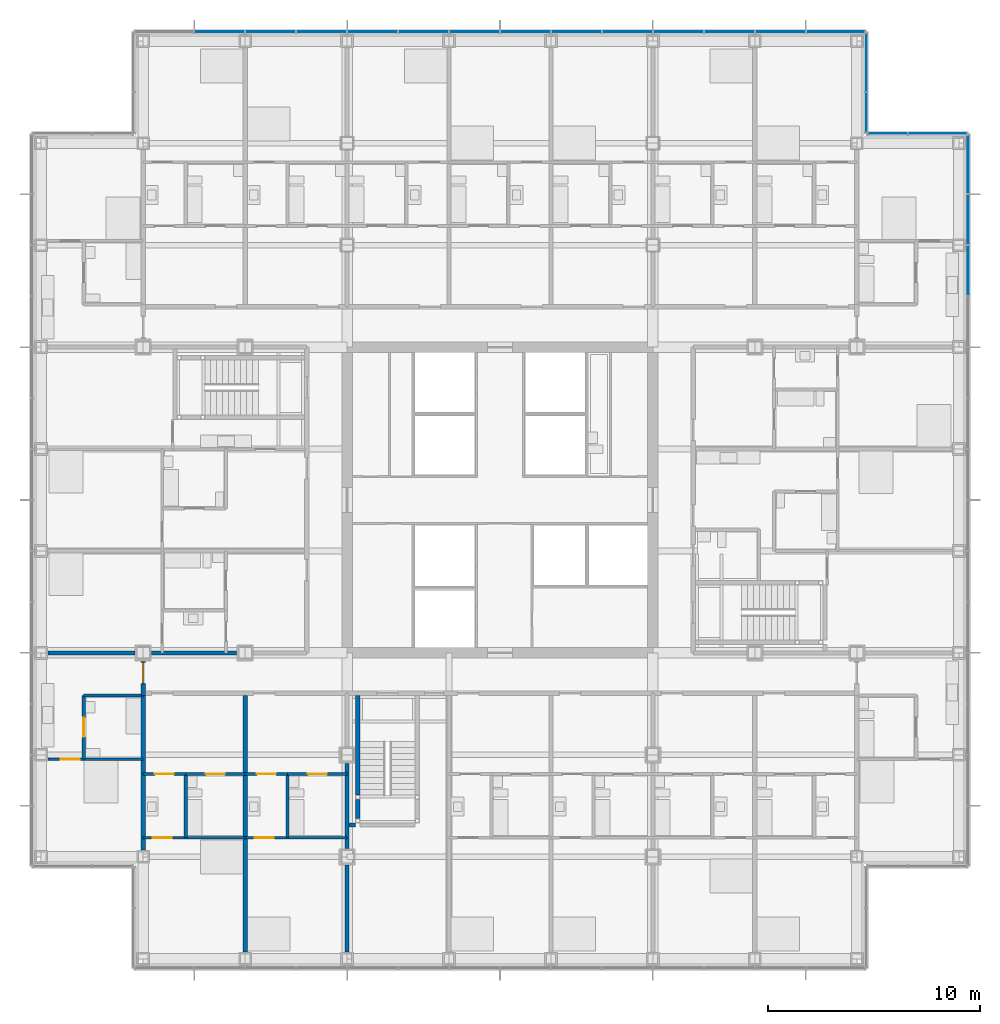
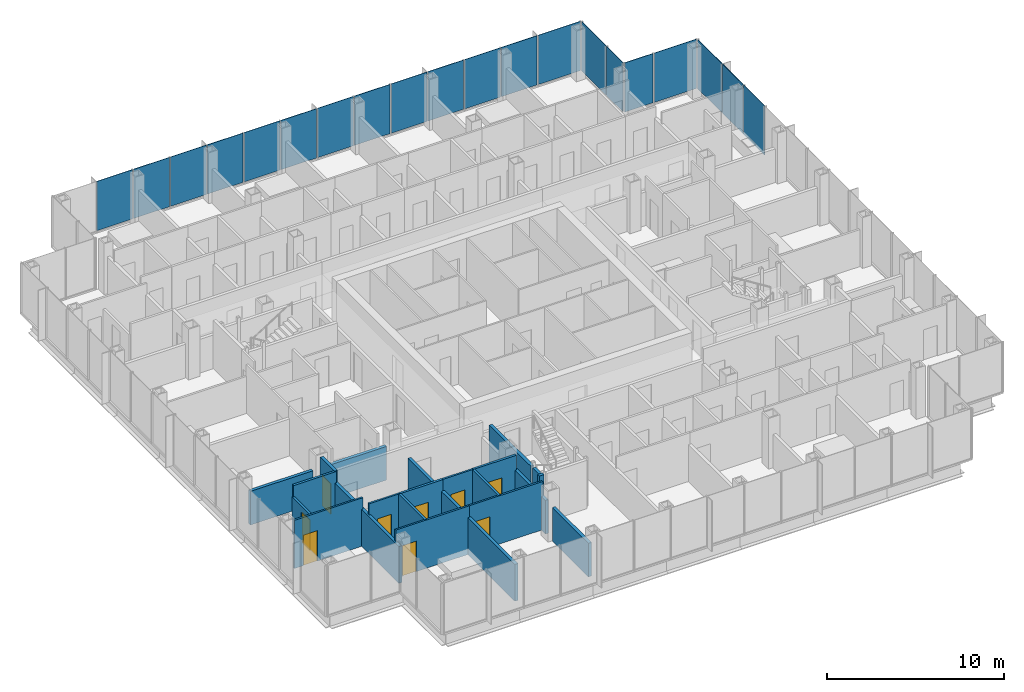
# One storey, part 13 of 22: 21 walls, 20 plates, 9 doors, 9 openings, 4 elements without a shape of their own.
"""IFC4 building model written with IfcOpenShell, lengths in metres."""

from ifc_helpers import new_model, si_unit, direction, frame, frame_2d, origin, origin_2d, place, context, subcontext, project, spatial, rectangle, extrude, material, layer, layer_set, type_object, element, fill, aggregate, save


model = new_model("IFC4")

# Units and contexts
model_context = context("Model", 3, precision=1e-05, world=origin(), true_north=direction((0.0, 1.0)))
body_context = subcontext(model_context, "Body", "Model", "MODEL_VIEW")
ifc_project = project(units=[si_unit("LENGTHUNIT", "METRE"), si_unit("AREAUNIT", "SQUARE_METRE"), si_unit("VOLUMEUNIT", "CUBIC_METRE"), si_unit("PLANEANGLEUNIT", "RADIAN"), si_unit("MASSUNIT", "GRAM", prefix="KILO")], contexts=[model_context])

# Site, building, storey
site_placement = place(None, origin())
site = spatial("IfcSite", under=ifc_project, at=site_placement, CompositionType="ELEMENT")
building_placement = place(site_placement, origin())
building = spatial("IfcBuilding", under=site, at=building_placement, Name="Kvirike Care Tower", CompositionType="ELEMENT")
storey_placement = place(building_placement, frame((0.0, 0.0, 69.0)))
storey = spatial("IfcBuildingStorey", under=building, at=storey_placement, Name="L18", CompositionType="ELEMENT", Elevation=69.0)

# Curtain wall, plates
ifc_material_1 = material(Name="Anodised aluminium stick system", Category="aluminium")
curtain_wall_type = type_object("IfcCurtainWallType", Name="CW-A STICK CURTAIN WALL", PredefinedType="NOTDEFINED", material=ifc_material_1)
curtain_wall_1_placement = place(storey_placement, origin())
curtain_wall_1 = element("IfcCurtainWall", 1, at=curtain_wall_1_placement, inside=storey, type_object=curtain_wall_type, Name="Curtain wall L18 face 7", PredefinedType="NOTDEFINED")
ifc_material_2 = material(Name="Tinted double glazed unit", Category="glass")
ifc_layer_1 = layer(ifc_material_2, 0.031982421875)
ifc_layer_set_1 = layer_set([ifc_layer_1], Name="TINTED VISION PANEL 32")
plate_type = type_object("IfcPlateType", Name="TINTED VISION PANEL 32", PredefinedType="CURTAIN_PANEL", material=ifc_layer_set_1)
plate_1_placement = place(storey_placement, frame((43.64990234375, 46.800048828125, 0.10009765625), z_axis=(0.0, 0.0, 1.0), x_axis=(0.0, 1.0, 0.0)))
plate_1 = element("IfcPlate", 2, at=plate_1_placement, type_object=plate_type, Name="CW-A panel L18 face 7.12", PredefinedType="CURTAIN_PANEL", context=body_context, shape_type="SweptSolid", body=[
    extrude(rectangle(XDim=2.3349609375, YDim=0.031982421875, at=origin_2d()), origin(), (0.0, 0.0, 1.0), 3.39990234375),
])
plate_2_placement = place(storey_placement, frame((43.64990234375, 49.199951171875, 0.10009765625), z_axis=(0.0, 0.0, 1.0), x_axis=(0.0, 1.0, 0.0)))
plate_2 = element("IfcPlate", 3, at=plate_2_placement, type_object=plate_type, Name="CW-A panel L18 face 7.13", PredefinedType="CURTAIN_PANEL", context=body_context, shape_type="SweptSolid", body=[
    extrude(rectangle(XDim=2.3349609375, YDim=0.031982421875, at=origin_2d()), origin(), (0.0, 0.0, 1.0), 3.39990234375),
])
plate_3_placement = place(storey_placement, frame((43.64990234375, 51.808837890625, 0.10009765625), z_axis=(0.0, 0.0, 1.0), x_axis=(0.0, 1.0, 0.0)))
plate_3 = element("IfcPlate", 4, at=plate_3_placement, type_object=plate_type, Name="CW-A panel L18 face 7.14", PredefinedType="CURTAIN_PANEL", context=body_context, shape_type="SweptSolid", body=[
    extrude(rectangle(XDim=2.75244140625, YDim=0.031982421875, at=origin_2d()), origin(), (0.0, 0.0, 1.0), 3.39990234375),
])
aggregate(curtain_wall_1, [plate_1, plate_2, plate_3])

curtain_wall_2_placement = place(storey_placement, origin())
curtain_wall_2 = element("IfcCurtainWall", 5, at=curtain_wall_2_placement, inside=storey, type_object=curtain_wall_type, Name="Curtain wall L18 face 8", PredefinedType="NOTDEFINED")
plate_4_placement = place(storey_placement, frame((42.208740234375, 53.25, 0.10009765625), z_axis=(0.0, 0.0, 1.0), x_axis=(-1.0, 0.0, 0.0)))
plate_4 = element("IfcPlate", 6, at=plate_4_placement, type_object=plate_type, Name="CW-A panel L18 face 8.1", PredefinedType="CURTAIN_PANEL", context=body_context, shape_type="SweptSolid", body=[
    extrude(rectangle(XDim=2.75244140625, YDim=0.031982421875, at=origin_2d()), origin(), (0.0, 0.0, 1.0), 3.39990234375),
])
plate_5_placement = place(storey_placement, frame((39.84130859375, 53.25, 0.10009765625), z_axis=(0.0, 0.0, 1.0), x_axis=(-1.0, 0.0, 0.0)))
plate_5 = element("IfcPlate", 7, at=plate_5_placement, type_object=plate_type, Name="CW-A panel L18 face 8.2", PredefinedType="CURTAIN_PANEL", context=body_context, shape_type="SweptSolid", body=[
    extrude(rectangle(XDim=1.8525390625, YDim=0.031982421875, at=origin_2d()), origin(), (0.0, 0.0, 1.0), 3.39990234375),
])
aggregate(curtain_wall_2, [plate_4, plate_5])

curtain_wall_3_placement = place(storey_placement, origin())
curtain_wall_3 = element("IfcCurtainWall", 8, at=curtain_wall_3_placement, inside=storey, type_object=curtain_wall_type, Name="Curtain wall L18 face 9", PredefinedType="NOTDEFINED")
plate_6_placement = place(storey_placement, frame((38.85009765625, 54.2412109375, 0.10009765625), z_axis=(0.0, 0.0, 1.0), x_axis=(0.0, 1.0, 0.0)))
plate_6 = element("IfcPlate", 9, at=plate_6_placement, type_object=plate_type, Name="CW-A panel L18 face 9.1", PredefinedType="CURTAIN_PANEL", context=body_context, shape_type="SweptSolid", body=[
    extrude(rectangle(XDim=1.8525390625, YDim=0.031982421875, at=origin_2d()), origin(), (0.0, 0.0, 1.0), 3.39990234375),
])
plate_7_placement = place(storey_placement, frame((38.85009765625, 56.608642578125, 0.10009765625), z_axis=(0.0, 0.0, 1.0), x_axis=(0.0, 1.0, 0.0)))
plate_7 = element("IfcPlate", 10, at=plate_7_placement, type_object=plate_type, Name="CW-A panel L18 face 9.2", PredefinedType="CURTAIN_PANEL", context=body_context, shape_type="SweptSolid", body=[
    extrude(rectangle(XDim=2.75244140625, YDim=0.031982421875, at=origin_2d()), origin(), (0.0, 0.0, 1.0), 3.39990234375),
])
aggregate(curtain_wall_3, [plate_6, plate_7])

curtain_wall_4_placement = place(storey_placement, origin())
curtain_wall_4 = element("IfcCurtainWall", 11, at=curtain_wall_4_placement, inside=storey, type_object=curtain_wall_type, Name="Curtain wall L18 face 10", PredefinedType="NOTDEFINED")
plate_8_placement = place(storey_placement, frame((37.40869140625, 58.050048828125, 0.10009765625), z_axis=(0.0, 0.0, 1.0), x_axis=(-1.0, 0.0, 0.0)))
plate_8 = element("IfcPlate", 12, at=plate_8_placement, type_object=plate_type, Name="CW-A panel L18 face 10.1", PredefinedType="CURTAIN_PANEL", context=body_context, shape_type="SweptSolid", body=[
    extrude(rectangle(XDim=2.75244140625, YDim=0.031982421875, at=origin_2d()), origin(), (0.0, 0.0, 1.0), 3.39990234375),
])
plate_9_placement = place(storey_placement, frame((34.800048828125, 58.050048828125, 0.10009765625), z_axis=(0.0, 0.0, 1.0), x_axis=(-1.0, 0.0, 0.0)))
plate_9 = element("IfcPlate", 13, at=plate_9_placement, type_object=plate_type, Name="CW-A panel L18 face 10.2", PredefinedType="CURTAIN_PANEL", context=body_context, shape_type="SweptSolid", body=[
    extrude(rectangle(XDim=2.3349609375, YDim=0.031982421875, at=origin_2d()), origin(), (0.0, 0.0, 1.0), 3.39990234375),
])
plate_10_placement = place(storey_placement, frame((32.39990234375, 58.050048828125, 0.10009765625), z_axis=(0.0, 0.0, 1.0), x_axis=(-1.0, 0.0, 0.0)))
plate_10 = element("IfcPlate", 14, at=plate_10_placement, type_object=plate_type, Name="CW-A panel L18 face 10.3", PredefinedType="CURTAIN_PANEL", context=body_context, shape_type="SweptSolid", body=[
    extrude(rectangle(XDim=2.3349609375, YDim=0.031982421875, at=origin_2d()), origin(), (0.0, 0.0, 1.0), 3.39990234375),
])
plate_11_placement = place(storey_placement, frame((30.0, 58.050048828125, 0.10009765625), z_axis=(0.0, 0.0, 1.0), x_axis=(-1.0, 0.0, 0.0)))
plate_11 = element("IfcPlate", 15, at=plate_11_placement, type_object=plate_type, Name="CW-A panel L18 face 10.4", PredefinedType="CURTAIN_PANEL", context=body_context, shape_type="SweptSolid", body=[
    extrude(rectangle(XDim=2.3349609375, YDim=0.031982421875, at=origin_2d()), origin(), (0.0, 0.0, 1.0), 3.39990234375),
])
plate_12_placement = place(storey_placement, frame((27.60009765625, 58.050048828125, 0.10009765625), z_axis=(0.0, 0.0, 1.0), x_axis=(-1.0, 0.0, 0.0)))
plate_12 = element("IfcPlate", 16, at=plate_12_placement, type_object=plate_type, Name="CW-A panel L18 face 10.5", PredefinedType="CURTAIN_PANEL", context=body_context, shape_type="SweptSolid", body=[
    extrude(rectangle(XDim=2.3349609375, YDim=0.031982421875, at=origin_2d()), origin(), (0.0, 0.0, 1.0), 3.39990234375),
])
plate_13_placement = place(storey_placement, frame((25.199951171875, 58.050048828125, 0.10009765625), z_axis=(0.0, 0.0, 1.0), x_axis=(-1.0, 0.0, 0.0)))
plate_13 = element("IfcPlate", 17, at=plate_13_placement, type_object=plate_type, Name="CW-A panel L18 face 10.6", PredefinedType="CURTAIN_PANEL", context=body_context, shape_type="SweptSolid", body=[
    extrude(rectangle(XDim=2.3349609375, YDim=0.031982421875, at=origin_2d()), origin(), (0.0, 0.0, 1.0), 3.39990234375),
])
plate_14_placement = place(storey_placement, frame((22.800048828125, 58.050048828125, 0.10009765625), z_axis=(0.0, 0.0, 1.0), x_axis=(-1.0, 0.0, 0.0)))
plate_14 = element("IfcPlate", 18, at=plate_14_placement, type_object=plate_type, Name="CW-A panel L18 face 10.7", PredefinedType="CURTAIN_PANEL", context=body_context, shape_type="SweptSolid", body=[
    extrude(rectangle(XDim=2.3349609375, YDim=0.031982421875, at=origin_2d()), origin(), (0.0, 0.0, 1.0), 3.39990234375),
])
plate_15_placement = place(storey_placement, frame((20.39990234375, 58.050048828125, 0.10009765625), z_axis=(0.0, 0.0, 1.0), x_axis=(-1.0, 0.0, 0.0)))
plate_15 = element("IfcPlate", 19, at=plate_15_placement, type_object=plate_type, Name="CW-A panel L18 face 10.8", PredefinedType="CURTAIN_PANEL", context=body_context, shape_type="SweptSolid", body=[
    extrude(rectangle(XDim=2.3349609375, YDim=0.031982421875, at=origin_2d()), origin(), (0.0, 0.0, 1.0), 3.39990234375),
])
plate_16_placement = place(storey_placement, frame((18.0, 58.050048828125, 0.10009765625), z_axis=(0.0, 0.0, 1.0), x_axis=(-1.0, 0.0, 0.0)))
plate_16 = element("IfcPlate", 20, at=plate_16_placement, type_object=plate_type, Name="CW-A panel L18 face 10.9", PredefinedType="CURTAIN_PANEL", context=body_context, shape_type="SweptSolid", body=[
    extrude(rectangle(XDim=2.3349609375, YDim=0.031982421875, at=origin_2d()), origin(), (0.0, 0.0, 1.0), 3.39990234375),
])
plate_17_placement = place(storey_placement, frame((15.60009765625, 58.050048828125, 0.10009765625), z_axis=(0.0, 0.0, 1.0), x_axis=(-1.0, 0.0, 0.0)))
plate_17 = element("IfcPlate", 21, at=plate_17_placement, type_object=plate_type, Name="CW-A panel L18 face 10.10", PredefinedType="CURTAIN_PANEL", context=body_context, shape_type="SweptSolid", body=[
    extrude(rectangle(XDim=2.3349609375, YDim=0.031982421875, at=origin_2d()), origin(), (0.0, 0.0, 1.0), 3.39990234375),
])
plate_18_placement = place(storey_placement, frame((13.199951171875, 58.050048828125, 0.10009765625), z_axis=(0.0, 0.0, 1.0), x_axis=(-1.0, 0.0, 0.0)))
plate_18 = element("IfcPlate", 22, at=plate_18_placement, type_object=plate_type, Name="CW-A panel L18 face 10.11", PredefinedType="CURTAIN_PANEL", context=body_context, shape_type="SweptSolid", body=[
    extrude(rectangle(XDim=2.3349609375, YDim=0.031982421875, at=origin_2d()), origin(), (0.0, 0.0, 1.0), 3.39990234375),
])
plate_19_placement = place(storey_placement, frame((10.800048828125, 58.050048828125, 0.10009765625), z_axis=(0.0, 0.0, 1.0), x_axis=(-1.0, 0.0, 0.0)))
plate_19 = element("IfcPlate", 23, at=plate_19_placement, type_object=plate_type, Name="CW-A panel L18 face 10.12", PredefinedType="CURTAIN_PANEL", context=body_context, shape_type="SweptSolid", body=[
    extrude(rectangle(XDim=2.3349609375, YDim=0.031982421875, at=origin_2d()), origin(), (0.0, 0.0, 1.0), 3.39990234375),
])
plate_20_placement = place(storey_placement, frame((8.39990234375, 58.050048828125, 0.10009765625), z_axis=(0.0, 0.0, 1.0), x_axis=(-1.0, 0.0, 0.0)))
plate_20 = element("IfcPlate", 24, at=plate_20_placement, type_object=plate_type, Name="CW-A panel L18 face 10.13", PredefinedType="CURTAIN_PANEL", context=body_context, shape_type="SweptSolid", body=[
    extrude(rectangle(XDim=2.3349609375, YDim=0.031982421875, at=origin_2d()), origin(), (0.0, 0.0, 1.0), 3.39990234375),
])
aggregate(curtain_wall_4, [plate_8, plate_9, plate_10, plate_11, plate_12, plate_13, plate_14, plate_15, plate_16, plate_17, plate_18, plate_19, plate_20])

# Wall, opening, door
ifc_material_3 = material(Name="Moisture-resistant board partition", Category="gypsum")
ifc_layer_2 = layer(ifc_material_3, 0.14990234375)
ifc_layer_set_2 = layer_set([ifc_layer_2], Name="BATHROOM WALL 150")
wall_type_1 = type_object("IfcWallType", Name="BATHROOM WALL 150", PredefinedType="PARTITIONING", material=ifc_layer_set_2)
wall_1_placement = place(storey_placement, frame((2.0, 23.800048828125, 0.0), z_axis=(0.0, 0.0, 1.0), x_axis=(0.0, 1.0, 0.0)))
wall_1 = element("IfcWall", 25, at=wall_1_placement, inside=storey, type_object=wall_type_1, Name="Bathroom Wall 150 L18", PredefinedType="PARTITIONING", context=body_context, shape_type="SweptSolid", body=[
    extrude(rectangle(XDim=3.0, YDim=0.14990234375, at=frame_2d((1.5, 0.0))), origin(), (0.0, 0.0, 1.0), 2.550048828125),
])
opening_1_placement = place(wall_1_placement, frame((1.050048828125, 0.0, 0.0)))
opening_1 = element("IfcOpeningElement", 26, at=opening_1_placement, cuts=wall_1, Name="Opening 18-001", PredefinedType="OPENING", context=body_context, shape_type="SweptSolid", body=[
    extrude(rectangle(XDim=0.89990234375, YDim=2.10009765625, at=frame_2d((0.449951171875, 1.050048828125))), frame((0.0, 0.08544921875, 0.0), z_axis=(0.0, -1.0, 0.0), x_axis=(1.0, 0.0, 0.0)), (0.0, 0.0, 1.0), 0.1708984375),
])
ifc_material_4 = material(Name="Timber door set", Category="wood")
door_type_1 = type_object("IfcDoorType", Name="BATHROOM DOOR 900", OperationType="SINGLE_SWING_RIGHT", PredefinedType="DOOR", material=ifc_material_4)
door_1_placement = place(opening_1_placement, frame((0.89990234375, 0.0, 0.0), z_axis=(0.0, 0.0, 1.0), x_axis=(-1.0, 0.0, 0.0)))
door_1 = element("IfcDoor", 27, at=door_1_placement, inside=storey, type_object=door_type_1, Name="Bathroom door", OperationType="SINGLE_SWING_LEFT", OverallHeight=2.10009765625, OverallWidth=0.89990234375, PredefinedType="DOOR", context=body_context, shape_type="SweptSolid", body=[
    extrude(rectangle(XDim=0.89990234375, YDim=2.10009765625, at=frame_2d((0.449951171875, 1.050048828125))), frame((0.0, 0.02197265625, 0.0), z_axis=(0.0, -1.0, 0.0), x_axis=(1.0, 0.0, 0.0)), (0.0, 0.0, 1.0), 0.0439453125),
])
fill(opening_1, door_1)

# Walls
wall_2_placement = place(storey_placement, frame((2.0, 26.800048828125, 0.0), z_axis=(0.0, 0.0, 1.0), x_axis=(1.0, 0.0, 0.0)))
element("IfcWall", 28, at=wall_2_placement, inside=storey, type_object=wall_type_1, Name="Bathroom Wall 150 L18", PredefinedType="PARTITIONING", context=body_context, shape_type="SweptSolid", body=[
    extrude(rectangle(XDim=2.800048828125, YDim=0.14990234375, at=frame_2d((1.39990234375, 0.0))), origin(), (0.0, 0.0, 1.0), 3.330078125),
])
wall_3_placement = place(storey_placement, frame((6.800048828125, 20.10009765625, 0.0), z_axis=(0.0, 0.0, 1.0), x_axis=(0.0, 1.0, 0.0)))
element("IfcWall", 29, at=wall_3_placement, inside=storey, type_object=wall_type_1, Name="Bathroom Wall 150 L18", PredefinedType="PARTITIONING", context=body_context, shape_type="SweptSolid", body=[
    extrude(rectangle(XDim=3.0, YDim=0.14990234375, at=frame_2d((1.5, 0.0))), origin(), (0.0, 0.0, 1.0), 3.330078125),
])

# Wall, opening, door
wall_4_placement = place(storey_placement, frame((6.800048828125, 23.10009765625, 0.0), z_axis=(0.0, 0.0, 1.0), x_axis=(1.0, 0.0, 0.0)))
wall_4 = element("IfcWall", 30, at=wall_4_placement, inside=storey, type_object=wall_type_1, Name="Bathroom Wall 150 L18", PredefinedType="PARTITIONING", context=body_context, shape_type="SweptSolid", body=[
    extrude(rectangle(XDim=2.800048828125, YDim=0.14990234375, at=frame_2d((1.39990234375, 0.0))), origin(), (0.0, 0.0, 1.0), 3.330078125),
])
opening_2_placement = place(wall_4_placement, frame((0.949951171875, 0.0, 0.0)))
opening_2 = element("IfcOpeningElement", 31, at=opening_2_placement, cuts=wall_4, Name="Opening 18-003", PredefinedType="OPENING", context=body_context, shape_type="SweptSolid", body=[
    extrude(rectangle(XDim=0.89990234375, YDim=2.10009765625, at=frame_2d((0.449951171875, 1.050048828125))), frame((0.0, 0.08544921875, 0.0), z_axis=(0.0, -1.0, 0.0), x_axis=(1.0, 0.0, 0.0)), (0.0, 0.0, 1.0), 0.1708984375),
])
door_2_placement = place(opening_2_placement, frame((0.89990234375, 0.0, 0.0), z_axis=(0.0, 0.0, 1.0), x_axis=(-1.0, 0.0, 0.0)))
door_2 = element("IfcDoor", 32, at=door_2_placement, inside=storey, type_object=door_type_1, Name="Bathroom door", OperationType="SINGLE_SWING_LEFT", OverallHeight=2.10009765625, OverallWidth=0.89990234375, PredefinedType="DOOR", context=body_context, shape_type="SweptSolid", body=[
    extrude(rectangle(XDim=0.89990234375, YDim=2.10009765625, at=frame_2d((0.449951171875, 1.050048828125))), frame((0.0, 0.02197265625, 0.0), z_axis=(0.0, -1.0, 0.0), x_axis=(1.0, 0.0, 0.0)), (0.0, 0.0, 1.0), 0.0439453125),
])
fill(opening_2, door_2)

# Wall
wall_5_placement = place(storey_placement, frame((11.60009765625, 20.10009765625, 0.0), z_axis=(0.0, 0.0, 1.0), x_axis=(0.0, 1.0, 0.0)))
element("IfcWall", 33, at=wall_5_placement, inside=storey, type_object=wall_type_1, Name="Bathroom Wall 150 L18", PredefinedType="PARTITIONING", context=body_context, shape_type="SweptSolid", body=[
    extrude(rectangle(XDim=3.0, YDim=0.14990234375, at=frame_2d((1.5, 0.0))), origin(), (0.0, 0.0, 1.0), 3.330078125),
])

# Wall, opening, door
wall_6_placement = place(storey_placement, frame((11.60009765625, 23.10009765625, 0.0), z_axis=(0.0, 0.0, 1.0), x_axis=(1.0, 0.0, 0.0)))
wall_6 = element("IfcWall", 34, at=wall_6_placement, inside=storey, type_object=wall_type_1, Name="Bathroom Wall 150 L18", PredefinedType="PARTITIONING", context=body_context, shape_type="SweptSolid", body=[
    extrude(rectangle(XDim=2.7998046875, YDim=0.14990234375, at=frame_2d((1.39990234375, 0.0))), origin(), (0.0, 0.0, 1.0), 3.330078125),
])
opening_3_placement = place(wall_6_placement, frame((0.949951171875, 0.0, 0.0)))
opening_3 = element("IfcOpeningElement", 35, at=opening_3_placement, cuts=wall_6, Name="Opening 18-006", PredefinedType="OPENING", context=body_context, shape_type="SweptSolid", body=[
    extrude(rectangle(XDim=0.89990234375, YDim=2.10009765625, at=frame_2d((0.449951171875, 1.050048828125))), frame((0.0, 0.08544921875, 0.0), z_axis=(0.0, -1.0, 0.0), x_axis=(1.0, 0.0, 0.0)), (0.0, 0.0, 1.0), 0.1708984375),
])
door_3_placement = place(opening_3_placement, frame((0.89990234375, 0.0, 0.0), z_axis=(0.0, 0.0, 1.0), x_axis=(-1.0, 0.0, 0.0)))
door_3 = element("IfcDoor", 36, at=door_3_placement, inside=storey, type_object=door_type_1, Name="Bathroom door", OperationType="SINGLE_SWING_RIGHT", OverallHeight=2.10009765625, OverallWidth=0.89990234375, PredefinedType="DOOR", context=body_context, shape_type="SweptSolid", body=[
    extrude(rectangle(XDim=0.89990234375, YDim=2.10009765625, at=frame_2d((0.449951171875, 1.050048828125))), frame((0.0, 0.02197265625, 0.0), z_axis=(0.0, -1.0, 0.0), x_axis=(1.0, 0.0, 0.0)), (0.0, 0.0, 1.0), 0.0439453125),
])
fill(opening_3, door_3)

ifc_material_5 = material(Name="Plasterboard corridor wall", Category="gypsum")
ifc_layer_3 = layer(ifc_material_5, 0.199951171875)
ifc_layer_set_3 = layer_set([ifc_layer_3], Name="CORRIDOR WALL 200")
wall_type_2 = type_object("IfcWallType", Name="CORRIDOR WALL 200", PredefinedType="PARTITIONING", material=ifc_layer_set_3)
wall_7_placement = place(storey_placement, frame((4.800048828125, 26.800048828125, 0.0), z_axis=(0.0, 0.0, 1.0), x_axis=(0.0, 1.0, 0.0)))
wall_7 = element("IfcWall", 37, at=wall_7_placement, inside=storey, type_object=wall_type_2, Name="Corridor Wall 200 L18", PredefinedType="PARTITIONING", context=body_context, shape_type="SweptSolid", body=[
    extrude(rectangle(XDim=1.60498046875, YDim=0.199951171875, at=frame_2d((0.802490234375, 0.0))), origin(), (0.0, 0.0, 1.0), 3.330078125),
])
opening_4_placement = place(wall_7_placement, frame((0.550048828125, 0.0, 0.0)))
opening_4 = element("IfcOpeningElement", 38, at=opening_4_placement, cuts=wall_7, Name="Opening 18-011", PredefinedType="OPENING", context=body_context, shape_type="SweptSolid", body=[
    extrude(rectangle(XDim=1.0, YDim=2.10009765625, at=frame_2d((0.5, 1.050048828125))), frame((0.0, 0.110595703125, 0.0), z_axis=(0.0, -1.0, 0.0), x_axis=(1.0, 0.0, 0.0)), (0.0, 0.0, 1.0), 0.220947265625),
])
ifc_material_6 = material(Name="Timber door set", Category="wood")
door_type_2 = type_object("IfcDoorType", Name="FLAT ENTRANCE DOOR 1000", OperationType="SINGLE_SWING_LEFT", PredefinedType="DOOR", material=ifc_material_6)
door_4_placement = place(opening_4_placement, origin())
door_4 = element("IfcDoor", 39, at=door_4_placement, inside=storey, type_object=door_type_2, Name="Studio apartment entrance", OperationType="SINGLE_SWING_LEFT", OverallHeight=2.10009765625, OverallWidth=1.0, PredefinedType="DOOR", context=body_context, shape_type="SweptSolid", body=[
    extrude(rectangle(XDim=1.0, YDim=2.10009765625, at=frame_2d((0.5, 1.050048828125))), frame((0.0, 0.02685546875, 0.0), z_axis=(0.0, -1.0, 0.0), x_axis=(1.0, 0.0, 0.0)), (0.0, 0.0, 1.0), 0.053955078125),
])
fill(opening_4, door_4)

ifc_material_7 = material(Name="Plasterboard partition", Category="gypsum")
ifc_layer_4 = layer(ifc_material_7, 0.1201171875)
ifc_layer_set_4 = layer_set([ifc_layer_4], Name="PARTITION 120")
wall_type_3 = type_object("IfcWallType", Name="PARTITION 120", PredefinedType="PARTITIONING", material=ifc_layer_set_4)
wall_8_placement = place(storey_placement, frame((0.320068359375, 23.800048828125, 0.0), z_axis=(0.0, 0.0, 1.0), x_axis=(1.0, 0.0, 0.0)))
wall_8 = element("IfcWall", 40, at=wall_8_placement, inside=storey, type_object=wall_type_3, Name="Partition 120 L18", PredefinedType="PARTITIONING", context=body_context, shape_type="SweptSolid", body=[
    extrude(rectangle(XDim=4.47998046875, YDim=0.1201171875, at=frame_2d((2.239990234375, 0.0))), origin(), (0.0, 0.0, 1.0), 3.330078125),
])
opening_5_placement = place(wall_8_placement, frame((0.60498046875, 0.0, 0.0)))
opening_5 = element("IfcOpeningElement", 41, at=opening_5_placement, cuts=wall_8, Name="Opening 18-002", PredefinedType="OPENING", context=body_context, shape_type="SweptSolid", body=[
    extrude(rectangle(XDim=0.89990234375, YDim=2.10009765625, at=frame_2d((0.449951171875, 1.050048828125))), frame((0.0, 0.070556640625, 0.0), z_axis=(0.0, -1.0, 0.0), x_axis=(1.0, 0.0, 0.0)), (0.0, 0.0, 1.0), 0.14111328125),
])
ifc_material_8 = material(Name="Timber door set", Category="wood")
door_type_3 = type_object("IfcDoorType", Name="INTERNAL DOOR 900", OperationType="SINGLE_SWING_LEFT", PredefinedType="DOOR", material=ifc_material_8)
door_5_placement = place(opening_5_placement, origin())
door_5 = element("IfcDoor", 42, at=door_5_placement, inside=storey, type_object=door_type_3, Name="Studio apartment living room door", OperationType="SINGLE_SWING_LEFT", OverallHeight=2.10009765625, OverallWidth=0.89990234375, PredefinedType="DOOR", context=body_context, shape_type="SweptSolid", body=[
    extrude(rectangle(XDim=0.89990234375, YDim=2.10009765625, at=frame_2d((0.449951171875, 1.050048828125))), frame((0.0, 0.02197265625, 0.0), z_axis=(0.0, -1.0, 0.0), x_axis=(1.0, 0.0, 0.0)), (0.0, 0.0, 1.0), 0.0439453125),
])
fill(opening_5, door_5)

wall_9_placement = place(storey_placement, frame((4.800048828125, 23.10009765625, 0.0), z_axis=(0.0, 0.0, 1.0), x_axis=(1.0, 0.0, 0.0)))
wall_9 = element("IfcWall", 43, at=wall_9_placement, inside=storey, type_object=wall_type_3, Name="Partition 120 L18", PredefinedType="PARTITIONING", context=body_context, shape_type="SweptSolid", body=[
    extrude(rectangle(XDim=2.0, YDim=0.1201171875, at=frame_2d((1.0, 0.0))), origin(), (0.0, 0.0, 1.0), 3.330078125),
])
opening_6_placement = place(wall_9_placement, frame((0.550048828125, 0.0, 0.0)))
opening_6 = element("IfcOpeningElement", 44, at=opening_6_placement, cuts=wall_9, Name="Opening 18-004", PredefinedType="OPENING", context=body_context, shape_type="SweptSolid", body=[
    extrude(rectangle(XDim=0.89990234375, YDim=2.10009765625, at=frame_2d((0.449951171875, 1.050048828125))), frame((0.0, 0.070556640625, 0.0), z_axis=(0.0, -1.0, 0.0), x_axis=(1.0, 0.0, 0.0)), (0.0, 0.0, 1.0), 0.14111328125),
])
door_6_placement = place(opening_6_placement, frame((0.89990234375, 0.0, 0.0), z_axis=(0.0, 0.0, 1.0), x_axis=(-1.0, 0.0, 0.0)))
door_6 = element("IfcDoor", 45, at=door_6_placement, inside=storey, type_object=door_type_3, Name="Kitchen door", OperationType="SINGLE_SWING_LEFT", OverallHeight=2.10009765625, OverallWidth=0.89990234375, PredefinedType="DOOR", context=body_context, shape_type="SweptSolid", body=[
    extrude(rectangle(XDim=0.89990234375, YDim=2.10009765625, at=frame_2d((0.449951171875, 1.050048828125))), frame((0.0, 0.02197265625, 0.0), z_axis=(0.0, -1.0, 0.0), x_axis=(1.0, 0.0, 0.0)), (0.0, 0.0, 1.0), 0.0439453125),
])
fill(opening_6, door_6)

wall_10_placement = place(storey_placement, frame((4.800048828125, 20.10009765625, 0.0), z_axis=(0.0, 0.0, 1.0), x_axis=(1.0, 0.0, 0.0)))
wall_10 = element("IfcWall", 46, at=wall_10_placement, inside=storey, type_object=wall_type_3, Name="Partition 120 L18", PredefinedType="PARTITIONING", context=body_context, shape_type="SweptSolid", body=[
    extrude(rectangle(XDim=4.800048828125, YDim=0.1201171875, at=frame_2d((2.39990234375, 0.0))), origin(), (0.0, 0.0, 1.0), 3.330078125),
])
opening_7_placement = place(wall_10_placement, frame((0.449951171875, 0.0, 0.0)))
opening_7 = element("IfcOpeningElement", 47, at=opening_7_placement, cuts=wall_10, Name="Opening 18-005", PredefinedType="OPENING", context=body_context, shape_type="SweptSolid", body=[
    extrude(rectangle(XDim=0.89990234375, YDim=2.10009765625, at=frame_2d((0.449951171875, 1.050048828125))), frame((0.0, 0.070556640625, 0.0), z_axis=(0.0, -1.0, 0.0), x_axis=(1.0, 0.0, 0.0)), (0.0, 0.0, 1.0), 0.14111328125),
])
door_7_placement = place(opening_7_placement, origin())
door_7 = element("IfcDoor", 48, at=door_7_placement, inside=storey, type_object=door_type_3, Name="Studio apartment living room door", OperationType="SINGLE_SWING_RIGHT", OverallHeight=2.10009765625, OverallWidth=0.89990234375, PredefinedType="DOOR", context=body_context, shape_type="SweptSolid", body=[
    extrude(rectangle(XDim=0.89990234375, YDim=2.10009765625, at=frame_2d((0.449951171875, 1.050048828125))), frame((0.0, 0.02197265625, 0.0), z_axis=(0.0, -1.0, 0.0), x_axis=(1.0, 0.0, 0.0)), (0.0, 0.0, 1.0), 0.0439453125),
])
fill(opening_7, door_7)

wall_11_placement = place(storey_placement, frame((9.60009765625, 23.10009765625, 0.0), z_axis=(0.0, 0.0, 1.0), x_axis=(1.0, 0.0, 0.0)))
wall_11 = element("IfcWall", 49, at=wall_11_placement, inside=storey, type_object=wall_type_3, Name="Partition 120 L18", PredefinedType="PARTITIONING", context=body_context, shape_type="SweptSolid", body=[
    extrude(rectangle(XDim=2.0, YDim=0.1201171875, at=frame_2d((1.0, 0.0))), origin(), (0.0, 0.0, 1.0), 3.330078125),
])
opening_8_placement = place(wall_11_placement, frame((0.550048828125, 0.0, 0.0)))
opening_8 = element("IfcOpeningElement", 50, at=opening_8_placement, cuts=wall_11, Name="Opening 18-007", PredefinedType="OPENING", context=body_context, shape_type="SweptSolid", body=[
    extrude(rectangle(XDim=0.89990234375, YDim=2.10009765625, at=frame_2d((0.449951171875, 1.050048828125))), frame((0.0, 0.070556640625, 0.0), z_axis=(0.0, -1.0, 0.0), x_axis=(1.0, 0.0, 0.0)), (0.0, 0.0, 1.0), 0.14111328125),
])
door_8_placement = place(opening_8_placement, frame((0.89990234375, 0.0, 0.0), z_axis=(0.0, 0.0, 1.0), x_axis=(-1.0, 0.0, 0.0)))
door_8 = element("IfcDoor", 51, at=door_8_placement, inside=storey, type_object=door_type_3, Name="Kitchen door", OperationType="SINGLE_SWING_LEFT", OverallHeight=2.10009765625, OverallWidth=0.89990234375, PredefinedType="DOOR", context=body_context, shape_type="SweptSolid", body=[
    extrude(rectangle(XDim=0.89990234375, YDim=2.10009765625, at=frame_2d((0.449951171875, 1.050048828125))), frame((0.0, 0.02197265625, 0.0), z_axis=(0.0, -1.0, 0.0), x_axis=(1.0, 0.0, 0.0)), (0.0, 0.0, 1.0), 0.0439453125),
])
fill(opening_8, door_8)

wall_12_placement = place(storey_placement, frame((9.60009765625, 20.10009765625, 0.0), z_axis=(0.0, 0.0, 1.0), x_axis=(1.0, 0.0, 0.0)))
wall_12 = element("IfcWall", 52, at=wall_12_placement, inside=storey, type_object=wall_type_3, Name="Partition 120 L18", PredefinedType="PARTITIONING", context=body_context, shape_type="SweptSolid", body=[
    extrude(rectangle(XDim=4.7998046875, YDim=0.1201171875, at=frame_2d((2.39990234375, 0.0))), origin(), (0.0, 0.0, 1.0), 3.330078125),
])
opening_9_placement = place(wall_12_placement, frame((0.449951171875, 0.0, 0.0)))
opening_9 = element("IfcOpeningElement", 53, at=opening_9_placement, cuts=wall_12, Name="Opening 18-008", PredefinedType="OPENING", context=body_context, shape_type="SweptSolid", body=[
    extrude(rectangle(XDim=0.89990234375, YDim=2.10009765625, at=frame_2d((0.449951171875, 1.050048828125))), frame((0.0, 0.070556640625, 0.0), z_axis=(0.0, -1.0, 0.0), x_axis=(1.0, 0.0, 0.0)), (0.0, 0.0, 1.0), 0.14111328125),
])
door_9_placement = place(opening_9_placement, origin())
door_9 = element("IfcDoor", 54, at=door_9_placement, inside=storey, type_object=door_type_3, Name="Studio apartment living room door", OperationType="SINGLE_SWING_RIGHT", OverallHeight=2.10009765625, OverallWidth=0.89990234375, PredefinedType="DOOR", context=body_context, shape_type="SweptSolid", body=[
    extrude(rectangle(XDim=0.89990234375, YDim=2.10009765625, at=frame_2d((0.449951171875, 1.050048828125))), frame((0.0, 0.02197265625, 0.0), z_axis=(0.0, -1.0, 0.0), x_axis=(1.0, 0.0, 0.0)), (0.0, 0.0, 1.0), 0.0439453125),
])
fill(opening_9, door_9)

# Walls
ifc_material_9 = material(Name="Plasterboard party wall", Category="gypsum")
ifc_layer_5 = layer(ifc_material_9, 0.199951171875)
ifc_layer_set_5 = layer_set([ifc_layer_5], Name="PARTY WALL 200")
wall_type_4 = type_object("IfcWallType", Name="PARTY WALL 200", PredefinedType="PARTITIONING", material=ifc_layer_set_5)
wall_13_placement = place(storey_placement, frame((4.800048828125, 19.52001953125, 0.0), z_axis=(0.0, 0.0, 1.0), x_axis=(0.0, 1.0, 0.0)))
element("IfcWall", 55, at=wall_13_placement, inside=storey, type_object=wall_type_4, Name="Party Wall 200 L18", PredefinedType="PARTITIONING", context=body_context, shape_type="SweptSolid", body=[
    extrude(rectangle(XDim=7.280029296875, YDim=0.199951171875, at=frame_2d((3.64013671875, 0.0))), origin(), (0.0, 0.0, 1.0), 2.550048828125),
])
wall_14_placement = place(storey_placement, frame((9.60009765625, 14.719970703125, 0.0), z_axis=(0.0, 0.0, 1.0), x_axis=(0.0, 1.0, 0.0)))
element("IfcWall", 56, at=wall_14_placement, inside=storey, type_object=wall_type_4, Name="Party Wall 200 L18", PredefinedType="PARTITIONING", context=body_context, shape_type="SweptSolid", body=[
    extrude(rectangle(XDim=12.080078125, YDim=0.199951171875, at=frame_2d((6.0400390625, 0.0))), origin(), (0.0, 0.0, 1.0), 2.550048828125),
])
wall_15_placement = place(storey_placement, frame((9.205078125, 28.800048828125, 0.0), z_axis=(0.0, 0.0, 1.0), x_axis=(-1.0, 0.0, 0.0)))
element("IfcWall", 57, at=wall_15_placement, inside=storey, type_object=wall_type_4, Name="Party Wall 200 L18", PredefinedType="PARTITIONING", context=body_context, shape_type="SweptSolid", body=[
    extrude(rectangle(XDim=4.010009765625, YDim=0.199951171875, at=frame_2d((2.0048828125, 0.0))), origin(), (0.0, 0.0, 1.0), 2.320068359375),
])
for number, where, z_axis, x_axis, name in (
    (58, (4.405029296875, 28.800048828125, 0.0), (0.0, 0.0, 1.0), (-1.0, 0.0, 0.0), "Party Wall 200 L18"),
    (59, (14.39990234375, 14.719970703125, 0.0), (0.0, 0.0, 1.0), (0.0, 1.0, 0.0), "Party Wall 200 L18"),
):
    element("IfcWall", number, at=place(storey_placement, frame(where, z_axis=z_axis, x_axis=x_axis)), inside=storey, type_object=wall_type_4, Name=name, PredefinedType="PARTITIONING", context=body_context, shape_type="SweptSolid", body=[
        extrude(rectangle(XDim=4.0849609375, YDim=0.199951171875, at=frame_2d((2.04248046875, 0.0))), origin(), (0.0, 0.0, 1.0), 2.320068359375),
    ])
wall_16_placement = place(storey_placement, frame((14.39990234375, 19.594970703125, 0.0), z_axis=(0.0, 0.0, 1.0), x_axis=(0.0, 1.0, 0.0)))
element("IfcWall", 60, at=wall_16_placement, inside=storey, type_object=wall_type_4, Name="Party Wall 200 L18", PredefinedType="PARTITIONING", context=body_context, shape_type="SweptSolid", body=[
    extrude(rectangle(XDim=4.010009765625, YDim=0.199951171875, at=frame_2d((2.0048828125, 0.0))), origin(), (0.0, 0.0, 1.0), 2.320068359375),
])
ifc_material_10 = material(Name="Concrete C40/50", Category="concrete")
ifc_layer_6 = layer(ifc_material_10, 0.199951171875)
ifc_layer_set_6 = layer_set([ifc_layer_6], Name="STAIR WALL 200")
wall_type_5 = type_object("IfcWallType", Name="STAIR WALL 200", PredefinedType="SOLIDWALL", material=ifc_layer_set_6)
wall_17_placement = place(storey_placement, frame((14.89990234375, 21.0, 0.0), z_axis=(0.0, 0.0, 1.0), x_axis=(0.0, 1.0, 0.0)))
element("IfcWall", 61, at=wall_17_placement, inside=storey, type_object=wall_type_5, Name="Stair Wall 200 L18", PredefinedType="SOLIDWALL", context=body_context, shape_type="SweptSolid", body=[
    extrude(rectangle(XDim=0.89990234375, YDim=0.199951171875, at=frame_2d((0.449951171875, 0.0))), origin(), (0.0, 0.0, 1.0), 2.989990234375),
])
wall_18_placement = place(storey_placement, frame((14.89990234375, 22.10009765625, 0.0), z_axis=(0.0, 0.0, 1.0), x_axis=(0.0, 1.0, 0.0)))
element("IfcWall", 62, at=wall_18_placement, inside=storey, type_object=wall_type_5, Name="Stair Wall 200 L18", PredefinedType="SOLIDWALL", context=body_context, shape_type="SweptSolid", body=[
    extrude(rectangle(XDim=4.699951171875, YDim=0.199951171875, at=frame_2d((2.35009765625, 0.0))), origin(), (0.0, 0.0, 1.0), 2.989990234375),
])
wall_19_placement = place(storey_placement, frame((14.5, 20.699951171875, 0.0), z_axis=(0.0, 0.0, 1.0), x_axis=(1.0, 0.0, 0.0)))
element("IfcWall", 63, at=wall_19_placement, inside=storey, type_object=wall_type_5, Name="Stair Wall 200 L18", PredefinedType="SOLIDWALL", context=body_context, shape_type="SweptSolid", body=[
    extrude(rectangle(XDim=0.300048828125, YDim=0.199951171875, at=frame_2d((0.14990234375, 0.0))), origin(), (0.0, 0.0, 1.0), 3.330078125),
])

save(model, "model.ifc")
